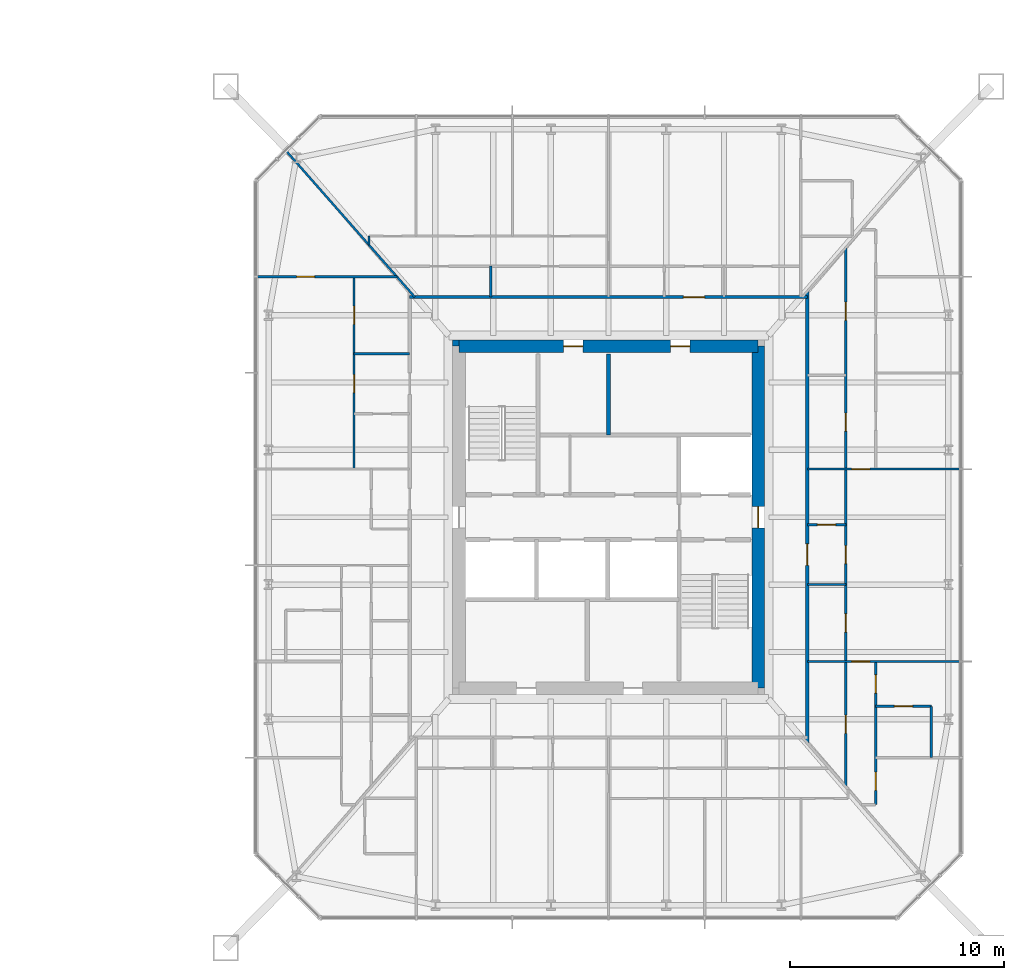
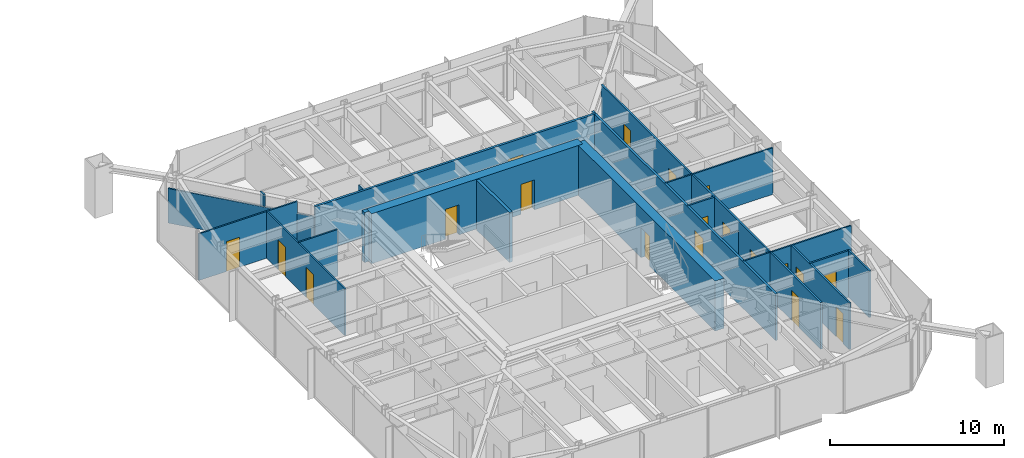
# One storey, part 20 of 26: 20 walls, 19 doors, 19 openings.
"""IFC4 building model written with IfcOpenShell, lengths in metres."""

from ifc_helpers import new_model, si_unit, direction, frame, frame_2d, origin, place, context, subcontext, project, spatial, rectangle, extrude, material, layer, layer_set, type_object, element, fill, save


model = new_model("IFC4")

# Units and contexts
model_context = context("Model", 3, precision=1e-05, world=origin(), true_north=direction((0.0, 1.0)))
body_context = subcontext(model_context, "Body", "Model", "MODEL_VIEW")
ifc_project = project(units=[si_unit("LENGTHUNIT", "METRE"), si_unit("AREAUNIT", "SQUARE_METRE"), si_unit("VOLUMEUNIT", "CUBIC_METRE"), si_unit("PLANEANGLEUNIT", "RADIAN"), si_unit("MASSUNIT", "GRAM", prefix="KILO")], contexts=[model_context])

# Site, building, storey
site_placement = place(None, origin())
site = spatial("IfcSite", under=ifc_project, at=site_placement, CompositionType="ELEMENT")
building_placement = place(site_placement, origin())
building = spatial("IfcBuilding", under=site, at=building_placement, Name="Iwan Alto Co-Living Towers", CompositionType="ELEMENT")
storey_placement = place(building_placement, frame((0.0, 0.0, 46.5)))
storey = spatial("IfcBuildingStorey", under=building, at=storey_placement, Name="L12", CompositionType="ELEMENT", Elevation=46.5)

# Wall, opening, door
ifc_material_1 = material(Name="Gypsum board")
ifc_layer_1 = layer(ifc_material_1, 0.02490234375, Name="Board", Category="Finish")
ifc_material_2 = material(Name="Steel ASTM A1003 ST33H cold-formed studs", Category="steel")
ifc_layer_2 = layer(ifc_material_2, 0.10009765625, Name="Studs", Category="Framing")
ifc_layer_3 = layer(ifc_material_1, 0.02490234375, Name="Board", Category="Finish")
ifc_layer_set_1 = layer_set([ifc_layer_1, ifc_layer_2, ifc_layer_3], Name="CORRIDOR WALL 150")
wall_type_1 = type_object("IfcWallType", Name="CORRIDOR WALL 150", PredefinedType="PARTITIONING", material=ifc_layer_set_1)
wall_1_placement = place(storey_placement, frame((53.699951171875, 10.300048828125, 0.0), z_axis=(0.0, 0.0, 1.0), x_axis=(1.0, 0.0, 0.0)))
wall_1 = element("IfcWall", 1, at=wall_1_placement, inside=storey, type_object=wall_type_1, Name="Partition L12", PredefinedType="PARTITIONING", context=body_context, shape_type="SweptSolid", body=[
    extrude(rectangle(XDim=18.60009765625, YDim=0.14990234375, at=frame_2d((9.300048828125, 0.0))), origin(), (0.0, 0.0, 1.0), 3.27001953125),
])
opening_1_placement = place(wall_1_placement, frame((12.800048828125, 0.0, 0.0)))
opening_1 = element("IfcOpeningElement", 2, at=opening_1_placement, cuts=wall_1, Name="Opening D3", PredefinedType="OPENING", context=body_context, shape_type="SweptSolid", body=[
    extrude(rectangle(XDim=1.0, YDim=2.10009765625, at=frame_2d((0.5, 1.050048828125))), frame((0.0, 0.0849609375, 0.0), z_axis=(0.0, -1.0, 0.0), x_axis=(1.0, 0.0, 0.0)), (0.0, 0.0, 1.0), 0.169921875),
])
ifc_material_3 = material(Name="Steel frame with timber leaf", Category="steel")
door_type_1 = type_object("IfcDoorType", Name="FLAT ENTRANCE DOOR FD30S 1000X2100", OperationType="SINGLE_SWING_LEFT", PredefinedType="DOOR", material=ifc_material_3)
door_1_placement = place(opening_1_placement, origin())
door_1 = element("IfcDoor", 3, at=door_1_placement, inside=storey, type_object=door_type_1, Name="Apartment foyer door L12", OperationType="SINGLE_SWING_LEFT", OverallHeight=2.10009765625, OverallWidth=1.0, PredefinedType="DOOR", context=body_context, shape_type="SweptSolid", body=[
    extrude(rectangle(XDim=1.0, YDim=2.10009765625, at=frame_2d((0.5, 1.050048828125))), frame((0.0, 0.02490234375, 0.0), z_axis=(0.0, -1.0, 0.0), x_axis=(1.0, 0.0, 0.0)), (0.0, 0.0, 1.0), 0.050048828125),
])
fill(opening_1, door_1)

wall_2_placement = place(storey_placement, frame((72.300048828125, -10.568115234375, 0.0), z_axis=(0.0, 0.0, 1.0), x_axis=(0.0, 1.0, 0.0)))
wall_2 = element("IfcWall", 4, at=wall_2_placement, inside=storey, type_object=wall_type_1, Name="Partition L12", PredefinedType="PARTITIONING", context=body_context, shape_type="SweptSolid", body=[
    extrude(rectangle(XDim=21.13623046875, YDim=0.14990234375, at=frame_2d((10.568115234375, 0.0))), origin(), (0.0, 0.0, 1.0), 3.27001953125),
])
opening_2_placement = place(wall_2_placement, frame((8.318115234375, 0.0, 0.0)))
opening_2 = element("IfcOpeningElement", 5, at=opening_2_placement, cuts=wall_2, Name="Opening D3", PredefinedType="OPENING", context=body_context, shape_type="SweptSolid", body=[
    extrude(rectangle(XDim=1.0, YDim=2.10009765625, at=frame_2d((0.5, 1.050048828125))), frame((0.0, 0.0849609375, 0.0), z_axis=(0.0, -1.0, 0.0), x_axis=(1.0, 0.0, 0.0)), (0.0, 0.0, 1.0), 0.169921875),
])
door_2_placement = place(opening_2_placement, frame((1.0, 0.0, 0.0), z_axis=(0.0, 0.0, 1.0), x_axis=(-1.0, 0.0, 0.0)))
door_2 = element("IfcDoor", 6, at=door_2_placement, inside=storey, type_object=door_type_1, Name="Apartment foyer door L12", OperationType="SINGLE_SWING_RIGHT", OverallHeight=2.10009765625, OverallWidth=1.0, PredefinedType="DOOR", context=body_context, shape_type="SweptSolid", body=[
    extrude(rectangle(XDim=1.0, YDim=2.10009765625, at=frame_2d((0.5, 1.050048828125))), frame((0.0, 0.02490234375, 0.0), z_axis=(0.0, -1.0, 0.0), x_axis=(1.0, 0.0, 0.0)), (0.0, 0.0, 1.0), 0.050048828125),
])
fill(opening_2, door_2)

ifc_layer_4 = layer(ifc_material_1, 0.012451171875, Name="Board", Category="Finish")
ifc_layer_5 = layer(ifc_material_2, 0.074951171875, Name="Studs", Category="Framing")
ifc_layer_6 = layer(ifc_material_1, 0.012451171875, Name="Board", Category="Finish")
ifc_layer_set_2 = layer_set([ifc_layer_4, ifc_layer_5, ifc_layer_6], Name="PARTITION 100")
wall_type_2 = type_object("IfcWallType", Name="PARTITION 100", PredefinedType="PARTITIONING", material=ifc_layer_set_2)
wall_3_placement = place(storey_placement, frame((72.300048828125, -6.75, 0.0), z_axis=(0.0, 0.0, 1.0), x_axis=(1.0, 0.0, 0.0)))
wall_3 = element("IfcWall", 7, at=wall_3_placement, inside=storey, type_object=wall_type_2, Name="Partition L12", PredefinedType="PARTITIONING", context=body_context, shape_type="SweptSolid", body=[
    extrude(rectangle(XDim=7.139892578125, YDim=0.10009765625, at=frame_2d((3.56982421875, 0.0))), origin(), (0.0, 0.0, 1.0), 3.27001953125),
])
opening_3_placement = place(wall_3_placement, frame((2.074951171875, 0.0, 0.0)))
opening_3 = element("IfcOpeningElement", 8, at=opening_3_placement, cuts=wall_3, Name="Opening D2", PredefinedType="OPENING", context=body_context, shape_type="SweptSolid", body=[
    extrude(rectangle(XDim=0.85009765625, YDim=2.10009765625, at=frame_2d((0.425048828125, 1.050048828125))), frame((0.0, 0.06005859375, 0.0), z_axis=(0.0, -1.0, 0.0), x_axis=(1.0, 0.0, 0.0)), (0.0, 0.0, 1.0), 0.1201171875),
])
ifc_material_4 = material(Name="Timber leaf in steel frame", Category="steel")
door_type_2 = type_object("IfcDoorType", Name="ROOM DOOR 850X2100", OperationType="SINGLE_SWING_LEFT", PredefinedType="DOOR", material=ifc_material_4)
door_3_placement = place(opening_3_placement, origin())
door_3 = element("IfcDoor", 9, at=door_3_placement, inside=storey, type_object=door_type_2, Name="Apartment hall door L12", OperationType="SINGLE_SWING_LEFT", OverallHeight=2.10009765625, OverallWidth=0.85009765625, PredefinedType="DOOR", context=body_context, shape_type="SweptSolid", body=[
    extrude(rectangle(XDim=0.85009765625, YDim=2.10009765625, at=frame_2d((0.425048828125, 1.050048828125))), frame((0.0, 0.02490234375, 0.0), z_axis=(0.0, -1.0, 0.0), x_axis=(1.0, 0.0, 0.0)), (0.0, 0.0, 1.0), 0.050048828125),
])
fill(opening_3, door_3)

# Wall
wall_4_placement = place(storey_placement, frame((72.300048828125, -3.14990234375, 0.0), z_axis=(0.0, 0.0, 1.0), x_axis=(1.0, 0.0, 0.0)))
element("IfcWall", 10, at=wall_4_placement, inside=storey, type_object=wall_type_2, Name="Partition L12", PredefinedType="PARTITIONING", context=body_context, shape_type="SweptSolid", body=[
    extrude(rectangle(XDim=1.800048828125, YDim=0.10009765625, at=frame_2d((0.89990234375, 0.0))), origin(), (0.0, 0.0, 1.0), 2.586669921875),
])

# Wall, opening, door
wall_5_placement = place(storey_placement, frame((72.300048828125, 2.25, 0.0), z_axis=(0.0, 0.0, 1.0), x_axis=(1.0, 0.0, 0.0)))
wall_5 = element("IfcWall", 11, at=wall_5_placement, inside=storey, type_object=wall_type_2, Name="Partition L12", PredefinedType="PARTITIONING", context=body_context, shape_type="SweptSolid", body=[
    extrude(rectangle(XDim=7.139892578125, YDim=0.10009765625, at=frame_2d((3.56982421875, 0.0))), origin(), (0.0, 0.0, 1.0), 3.27001953125),
])
opening_4_placement = place(wall_5_placement, frame((2.074951171875, 0.0, 0.0)))
opening_4 = element("IfcOpeningElement", 12, at=opening_4_placement, cuts=wall_5, Name="Opening D2", PredefinedType="OPENING", context=body_context, shape_type="SweptSolid", body=[
    extrude(rectangle(XDim=0.85009765625, YDim=2.10009765625, at=frame_2d((0.425048828125, 1.050048828125))), frame((0.0, 0.06005859375, 0.0), z_axis=(0.0, -1.0, 0.0), x_axis=(1.0, 0.0, 0.0)), (0.0, 0.0, 1.0), 0.1201171875),
])
door_4_placement = place(opening_4_placement, frame((0.85009765625, 0.0, 0.0), z_axis=(0.0, 0.0, 1.0), x_axis=(-1.0, 0.0, 0.0)))
door_4 = element("IfcDoor", 13, at=door_4_placement, inside=storey, type_object=door_type_2, Name="Apartment hall door L12", OperationType="SINGLE_SWING_RIGHT", OverallHeight=2.10009765625, OverallWidth=0.85009765625, PredefinedType="DOOR", context=body_context, shape_type="SweptSolid", body=[
    extrude(rectangle(XDim=0.85009765625, YDim=2.10009765625, at=frame_2d((0.425048828125, 1.050048828125))), frame((0.0, 0.02490234375, 0.0), z_axis=(0.0, -1.0, 0.0), x_axis=(1.0, 0.0, 0.0)), (0.0, 0.0, 1.0), 0.050048828125),
])
fill(opening_4, door_4)

# Wall
wall_6_placement = place(storey_placement, frame((51.10009765625, 7.64990234375, 0.0), z_axis=(0.0, 0.0, 1.0), x_axis=(1.0, 0.0, 0.0)))
element("IfcWall", 14, at=wall_6_placement, inside=storey, type_object=wall_type_2, Name="Partition L12", PredefinedType="PARTITIONING", context=body_context, shape_type="SweptSolid", body=[
    extrude(rectangle(XDim=2.599853515625, YDim=0.10009765625, at=frame_2d((1.2998046875, 0.0))), origin(), (0.0, 0.0, 1.0), 3.27001953125),
])

# Wall, opening, door
wall_7_placement = place(storey_placement, frame((46.56005859375, 11.25, 0.0), z_axis=(0.0, 0.0, 1.0), x_axis=(1.0, 0.0, 0.0)))
wall_7 = element("IfcWall", 15, at=wall_7_placement, inside=storey, type_object=wall_type_2, Name="Partition L12", PredefinedType="PARTITIONING", context=body_context, shape_type="SweptSolid", body=[
    extrude(rectangle(XDim=6.5400390625, YDim=0.10009765625, at=frame_2d((3.27001953125, 0.0))), origin(), (0.0, 0.0, 1.0), 3.27001953125),
])
opening_5_placement = place(wall_7_placement, frame((1.844970703125, 0.0, 0.0)))
opening_5 = element("IfcOpeningElement", 16, at=opening_5_placement, cuts=wall_7, Name="Opening D2", PredefinedType="OPENING", context=body_context, shape_type="SweptSolid", body=[
    extrude(rectangle(XDim=0.85009765625, YDim=2.10009765625, at=frame_2d((0.425048828125, 1.050048828125))), frame((0.0, 0.06005859375, 0.0), z_axis=(0.0, -1.0, 0.0), x_axis=(1.0, 0.0, 0.0)), (0.0, 0.0, 1.0), 0.1201171875),
])
door_5_placement = place(opening_5_placement, frame((0.85009765625, 0.0, 0.0), z_axis=(0.0, 0.0, 1.0), x_axis=(-1.0, 0.0, 0.0)))
door_5 = element("IfcDoor", 17, at=door_5_placement, inside=storey, type_object=door_type_2, Name="Bedroom door L12", OperationType="SINGLE_SWING_LEFT", OverallHeight=2.10009765625, OverallWidth=0.85009765625, PredefinedType="DOOR", context=body_context, shape_type="SweptSolid", body=[
    extrude(rectangle(XDim=0.85009765625, YDim=2.10009765625, at=frame_2d((0.425048828125, 1.050048828125))), frame((0.0, 0.02490234375, 0.0), z_axis=(0.0, -1.0, 0.0), x_axis=(1.0, 0.0, 0.0)), (0.0, 0.0, 1.0), 0.050048828125),
])
fill(opening_5, door_5)

# Wall
wall_8_placement = place(storey_placement, frame((51.800048828125, 12.72705078125, 0.0), z_axis=(0.0, 0.0, 1.0), x_axis=(0.0, 1.0, 0.0)))
element("IfcWall", 18, at=wall_8_placement, inside=storey, type_object=wall_type_2, Name="Partition L12", PredefinedType="PARTITIONING", context=body_context, shape_type="SweptSolid", body=[
    extrude(rectangle(XDim=0.4228515625, YDim=0.10009765625, at=frame_2d((0.21142578125, 0.0))), origin(), (0.0, 0.0, 1.0), 3.27001953125),
])

# Wall, openings, doors
wall_9_placement = place(storey_placement, frame((51.10009765625, 2.25, 0.0), z_axis=(0.0, 0.0, 1.0), x_axis=(0.0, 1.0, 0.0)))
wall_9 = element("IfcWall", 19, at=wall_9_placement, inside=storey, type_object=wall_type_2, Name="Partition L12", PredefinedType="PARTITIONING", context=body_context, shape_type="SweptSolid", body=[
    extrude(rectangle(XDim=9.0, YDim=0.10009765625, at=frame_2d((4.5, 0.0))), origin(), (0.0, 0.0, 1.0), 3.27001953125),
])
opening_6_placement = place(wall_9_placement, frame((6.77490234375, 0.0, 0.0)))
opening_6 = element("IfcOpeningElement", 20, at=opening_6_placement, cuts=wall_9, Name="Opening D2", PredefinedType="OPENING", context=body_context, shape_type="SweptSolid", body=[
    extrude(rectangle(XDim=0.85009765625, YDim=2.10009765625, at=frame_2d((0.425048828125, 1.050048828125))), frame((0.0, 0.06005859375, 0.0), z_axis=(0.0, -1.0, 0.0), x_axis=(1.0, 0.0, 0.0)), (0.0, 0.0, 1.0), 0.1201171875),
])
opening_7_placement = place(wall_9_placement, frame((3.574951171875, 0.0, 0.0)))
opening_7 = element("IfcOpeningElement", 21, at=opening_7_placement, cuts=wall_9, Name="Opening D2", PredefinedType="OPENING", context=body_context, shape_type="SweptSolid", body=[
    extrude(rectangle(XDim=0.85009765625, YDim=2.10009765625, at=frame_2d((0.425048828125, 1.050048828125))), frame((0.0, 0.06005859375, 0.0), z_axis=(0.0, -1.0, 0.0), x_axis=(1.0, 0.0, 0.0)), (0.0, 0.0, 1.0), 0.1201171875),
])
door_6_placement = place(opening_6_placement, origin())
door_6 = element("IfcDoor", 22, at=door_6_placement, inside=storey, type_object=door_type_2, Name="Kitchen door L12", OperationType="SINGLE_SWING_RIGHT", OverallHeight=2.10009765625, OverallWidth=0.85009765625, PredefinedType="DOOR", context=body_context, shape_type="SweptSolid", body=[
    extrude(rectangle(XDim=0.85009765625, YDim=2.10009765625, at=frame_2d((0.425048828125, 1.050048828125))), frame((0.0, 0.02490234375, 0.0), z_axis=(0.0, -1.0, 0.0), x_axis=(1.0, 0.0, 0.0)), (0.0, 0.0, 1.0), 0.050048828125),
])
fill(opening_6, door_6)
door_7_placement = place(opening_7_placement, origin())
door_7 = element("IfcDoor", 23, at=door_7_placement, inside=storey, type_object=door_type_2, Name="Apartment foyer door L12", OperationType="SINGLE_SWING_LEFT", OverallHeight=2.10009765625, OverallWidth=0.85009765625, PredefinedType="DOOR", context=body_context, shape_type="SweptSolid", body=[
    extrude(rectangle(XDim=0.85009765625, YDim=2.10009765625, at=frame_2d((0.425048828125, 1.050048828125))), frame((0.0, 0.02490234375, 0.0), z_axis=(0.0, -1.0, 0.0), x_axis=(1.0, 0.0, 0.0)), (0.0, 0.0, 1.0), 0.050048828125),
])
fill(opening_7, door_7)

# Walls
wall_10_placement = place(storey_placement, frame((53.93603515625, 10.300048828125, 0.0), z_axis=(0.0, 0.0, 1.0), x_axis=(-0.660638210404, 0.750704439146, 0.0)))
element("IfcWall", 24, at=wall_10_placement, inside=storey, type_object=wall_type_2, Name="Partition L12", PredefinedType="PARTITIONING", context=body_context, shape_type="SweptSolid", body=[
    extrude(rectangle(XDim=9.06982421875, YDim=0.10009765625, at=frame_2d((4.534912109375, 0.0))), origin(), (0.0, 0.0, 1.0), 2.42919921875),
])
ifc_material_5 = material(Name="Concrete f'c 70 MPa", Category="concrete")
ifc_layer_7 = layer(ifc_material_5, 0.199951171875)
ifc_layer_set_3 = layer_set([ifc_layer_7], Name="SHAFT WALL 200")
wall_type_3 = type_object("IfcWallType", Name="SHAFT WALL 200", PredefinedType="SOLIDWALL", material=ifc_layer_set_3)
wall_11_placement = place(storey_placement, frame((63.0, 3.85009765625, 0.0), z_axis=(0.0, 0.0, 1.0), x_axis=(0.0, 1.0, 0.0)))
element("IfcWall", 25, at=wall_11_placement, inside=storey, type_object=wall_type_3, Name="Shaft wall L12", PredefinedType="SOLIDWALL", context=body_context, shape_type="SweptSolid", body=[
    extrude(rectangle(XDim=3.789794921875, YDim=0.199951171875, at=frame_2d((1.89501953125, 0.0))), origin(), (0.0, 0.0, 1.0), 3.5),
])
ifc_material_6 = material(Name="Concrete f'c 70 MPa", Category="concrete")
ifc_layer_8 = layer(ifc_material_6, 0.300048828125)
ifc_layer_set_4 = layer_set([ifc_layer_8], Name="T2 CORE CORNER FILL 300")
wall_type_4 = type_object("IfcWallType", Name="T2 CORE CORNER FILL 300", PredefinedType="SOLIDWALL", material=ifc_layer_set_4)
wall_12_placement = place(storey_placement, frame((55.699951171875, 8.14990234375, 0.0), z_axis=(0.0, 0.0, 1.0), x_axis=(1.0, 0.0, 0.0)))
element("IfcWall", 26, at=wall_12_placement, inside=storey, type_object=wall_type_4, Name="T2 core corner NW L12", PredefinedType="SOLIDWALL", context=body_context, shape_type="SweptSolid", body=[
    extrude(rectangle(XDim=0.300048828125, YDim=0.300048828125, at=frame_2d((0.14990234375, 0.0))), origin(), (0.0, 0.0, 1.0), 3.5),
])

# Wall, openings, doors
ifc_material_7 = material(Name="Concrete f'c 70 MPa", Category="concrete")
ifc_layer_9 = layer(ifc_material_7, 0.60009765625)
ifc_layer_set_5 = layer_set([ifc_layer_9], Name="T2 CORE WALL 600")
wall_type_5 = type_object("IfcWallType", Name="T2 CORE WALL 600", PredefinedType="SHEAR", material=ifc_layer_set_5)
wall_13_placement = place(storey_placement, frame((70.0, 8.0, 0.0), z_axis=(0.0, 0.0, 1.0), x_axis=(-1.0, 0.0, 0.0)))
wall_13 = element("IfcWall", 27, at=wall_13_placement, inside=storey, type_object=wall_type_5, Name="T2 core wall N L12", PredefinedType="SHEAR", context=body_context, shape_type="SweptSolid", body=[
    extrude(rectangle(XDim=14.0, YDim=0.60009765625, at=frame_2d((7.0, 0.0))), origin(), (0.0, 0.0, 1.0), 3.5),
])
opening_8_placement = place(wall_13_placement, frame((8.199951171875, 0.0, 0.0)))
opening_8 = element("IfcOpeningElement", 28, at=opening_8_placement, cuts=wall_13, Name="Opening D8", PredefinedType="OPENING", context=body_context, shape_type="SweptSolid", body=[
    extrude(rectangle(XDim=0.89990234375, YDim=2.10009765625, at=frame_2d((0.449951171875, 1.050048828125))), frame((0.0, 0.31005859375, 0.0), z_axis=(0.0, -1.0, 0.0), x_axis=(1.0, 0.0, 0.0)), (0.0, 0.0, 1.0), 0.6201171875),
])
opening_9_placement = place(wall_13_placement, frame((3.199951171875, 0.0, 0.0)))
opening_9 = element("IfcOpeningElement", 29, at=opening_9_placement, cuts=wall_13, Name="Opening D8", PredefinedType="OPENING", context=body_context, shape_type="SweptSolid", body=[
    extrude(rectangle(XDim=0.89990234375, YDim=2.10009765625, at=frame_2d((0.449951171875, 1.050048828125))), frame((0.0, 0.31005859375, 0.0), z_axis=(0.0, -1.0, 0.0), x_axis=(1.0, 0.0, 0.0)), (0.0, 0.0, 1.0), 0.6201171875),
])
ifc_material_8 = material(Name="Steel frame with timber leaf", Category="steel")
door_type_3 = type_object("IfcDoorType", Name="RISER DOOR FD120 900X2100", OperationType="SINGLE_SWING_LEFT", PredefinedType="DOOR", material=ifc_material_8)
door_8_placement = place(opening_8_placement, origin())
door_8 = element("IfcDoor", 30, at=door_8_placement, inside=storey, type_object=door_type_3, Name="Electrical riser core door L12", OperationType="SINGLE_SWING_RIGHT", OverallHeight=2.10009765625, OverallWidth=0.89990234375, PredefinedType="DOOR", context=body_context, shape_type="SweptSolid", body=[
    extrude(rectangle(XDim=0.89990234375, YDim=2.10009765625, at=frame_2d((0.449951171875, 1.050048828125))), frame((0.0, 0.02490234375, 0.0), z_axis=(0.0, -1.0, 0.0), x_axis=(1.0, 0.0, 0.0)), (0.0, 0.0, 1.0), 0.050048828125),
])
fill(opening_8, door_8)
door_9_placement = place(opening_9_placement, origin())
door_9 = element("IfcDoor", 31, at=door_9_placement, inside=storey, type_object=door_type_3, Name="Water and drainage riser core door L12", OperationType="SINGLE_SWING_RIGHT", OverallHeight=2.10009765625, OverallWidth=0.89990234375, PredefinedType="DOOR", context=body_context, shape_type="SweptSolid", body=[
    extrude(rectangle(XDim=0.89990234375, YDim=2.10009765625, at=frame_2d((0.449951171875, 1.050048828125))), frame((0.0, 0.02490234375, 0.0), z_axis=(0.0, -1.0, 0.0), x_axis=(1.0, 0.0, 0.0)), (0.0, 0.0, 1.0), 0.050048828125),
])
fill(opening_9, door_9)

# Wall, opening, door
wall_14_placement = place(storey_placement, frame((70.0, -8.0, 0.0), z_axis=(0.0, 0.0, 1.0), x_axis=(0.0, 1.0, 0.0)))
wall_14 = element("IfcWall", 32, at=wall_14_placement, inside=storey, type_object=wall_type_5, Name="T2 core wall E L12", PredefinedType="SHEAR", context=body_context, shape_type="SweptSolid", body=[
    extrude(rectangle(XDim=16.0, YDim=0.60009765625, at=frame_2d((8.0, 0.0))), origin(), (0.0, 0.0, 1.0), 3.5),
])
opening_10_placement = place(wall_14_placement, frame((7.5, 0.0, 0.0)))
opening_10 = element("IfcOpeningElement", 33, at=opening_10_placement, cuts=wall_14, Name="Opening D7", PredefinedType="OPENING", context=body_context, shape_type="SweptSolid", body=[
    extrude(rectangle(XDim=1.0, YDim=2.10009765625, at=frame_2d((0.5, 1.050048828125))), frame((0.0, 0.31005859375, 0.0), z_axis=(0.0, -1.0, 0.0), x_axis=(1.0, 0.0, 0.0)), (0.0, 0.0, 1.0), 0.6201171875),
])
ifc_material_9 = material(Name="Steel frame with timber leaf", Category="steel")
door_type_4 = type_object("IfcDoorType", Name="CORE DOOR FD120S 1000X2100", OperationType="SINGLE_SWING_LEFT", PredefinedType="DOOR", material=ifc_material_9)
door_10_placement = place(opening_10_placement, origin())
door_10 = element("IfcDoor", 34, at=door_10_placement, inside=storey, type_object=door_type_4, Name="Firefighting lobby core door L12", OperationType="SINGLE_SWING_LEFT", OverallHeight=2.10009765625, OverallWidth=1.0, PredefinedType="DOOR", context=body_context, shape_type="SweptSolid", body=[
    extrude(rectangle(XDim=1.0, YDim=2.10009765625, at=frame_2d((0.5, 1.050048828125))), frame((0.0, 0.02490234375, 0.0), z_axis=(0.0, -1.0, 0.0), x_axis=(1.0, 0.0, 0.0)), (0.0, 0.0, 1.0), 0.050048828125),
])
fill(opening_10, door_10)

ifc_material_10 = material(Name="Cement board")
ifc_layer_10 = layer(ifc_material_10, 0.012451171875, Name="Board", Category="Finish")
ifc_layer_11 = layer(ifc_material_2, 0.094970703125, Name="Studs", Category="Framing")
ifc_layer_12 = layer(ifc_material_10, 0.012451171875, Name="Board", Category="Finish")
ifc_layer_set_6 = layer_set([ifc_layer_10, ifc_layer_11, ifc_layer_12], Name="WET AREA PARTITION 120")
wall_type_6 = type_object("IfcWallType", Name="WET AREA PARTITION 120", PredefinedType="PARTITIONING", material=ifc_layer_set_6)
wall_15_placement = place(storey_placement, frame((75.5, -8.85009765625, 0.0), z_axis=(0.0, 0.0, 1.0), x_axis=(1.0, 0.0, 0.0)))
wall_15 = element("IfcWall", 35, at=wall_15_placement, inside=storey, type_object=wall_type_6, Name="Partition L12", PredefinedType="PARTITIONING", context=body_context, shape_type="SweptSolid", body=[
    extrude(rectangle(XDim=2.60009765625, YDim=0.1201171875, at=frame_2d((1.300048828125, 0.0))), origin(), (0.0, 0.0, 1.0), 3.27001953125),
])
opening_11_placement = place(wall_15_placement, frame((0.875, 0.0, 0.0)))
opening_11 = element("IfcOpeningElement", 36, at=opening_11_placement, cuts=wall_15, Name="Opening D2", PredefinedType="OPENING", context=body_context, shape_type="SweptSolid", body=[
    extrude(rectangle(XDim=0.85009765625, YDim=2.10009765625, at=frame_2d((0.425048828125, 1.050048828125))), frame((0.0, 0.070068359375, 0.0), z_axis=(0.0, -1.0, 0.0), x_axis=(1.0, 0.0, 0.0)), (0.0, 0.0, 1.0), 0.14013671875),
])
door_11_placement = place(opening_11_placement, origin())
door_11 = element("IfcDoor", 37, at=door_11_placement, inside=storey, type_object=door_type_2, Name="En-suite shower room door L12", OperationType="SINGLE_SWING_LEFT", OverallHeight=2.10009765625, OverallWidth=0.85009765625, PredefinedType="DOOR", context=body_context, shape_type="SweptSolid", body=[
    extrude(rectangle(XDim=0.85009765625, YDim=2.10009765625, at=frame_2d((0.425048828125, 1.050048828125))), frame((0.0, 0.02490234375, 0.0), z_axis=(0.0, -1.0, 0.0), x_axis=(1.0, 0.0, 0.0)), (0.0, 0.0, 1.0), 0.050048828125),
])
fill(opening_11, door_11)

wall_16_placement = place(storey_placement, frame((72.300048828125, -0.35009765625, 0.0), z_axis=(0.0, 0.0, 1.0), x_axis=(1.0, 0.0, 0.0)))
wall_16 = element("IfcWall", 38, at=wall_16_placement, inside=storey, type_object=wall_type_6, Name="Partition L12", PredefinedType="PARTITIONING", context=body_context, shape_type="SweptSolid", body=[
    extrude(rectangle(XDim=1.800048828125, YDim=0.1201171875, at=frame_2d((0.89990234375, 0.0))), origin(), (0.0, 0.0, 1.0), 3.27001953125),
])
opening_12_placement = place(wall_16_placement, frame((0.47509765625, 0.0, 0.0)))
opening_12 = element("IfcOpeningElement", 39, at=opening_12_placement, cuts=wall_16, Name="Opening D2", PredefinedType="OPENING", context=body_context, shape_type="SweptSolid", body=[
    extrude(rectangle(XDim=0.85009765625, YDim=2.10009765625, at=frame_2d((0.425048828125, 1.050048828125))), frame((0.0, 0.070068359375, 0.0), z_axis=(0.0, -1.0, 0.0), x_axis=(1.0, 0.0, 0.0)), (0.0, 0.0, 1.0), 0.14013671875),
])
door_12_placement = place(opening_12_placement, origin())
door_12 = element("IfcDoor", 40, at=door_12_placement, inside=storey, type_object=door_type_2, Name="Bathroom door L12", OperationType="SINGLE_SWING_LEFT", OverallHeight=2.10009765625, OverallWidth=0.85009765625, PredefinedType="DOOR", context=body_context, shape_type="SweptSolid", body=[
    extrude(rectangle(XDim=0.85009765625, YDim=2.10009765625, at=frame_2d((0.425048828125, 1.050048828125))), frame((0.0, 0.02490234375, 0.0), z_axis=(0.0, -1.0, 0.0), x_axis=(1.0, 0.0, 0.0)), (0.0, 0.0, 1.0), 0.050048828125),
])
fill(opening_12, door_12)

# Wall
wall_17_placement = place(storey_placement, frame((78.10009765625, -11.25, 0.0), z_axis=(0.0, 0.0, 1.0), x_axis=(0.0, 1.0, 0.0)))
element("IfcWall", 41, at=wall_17_placement, inside=storey, type_object=wall_type_6, Name="Partition L12", PredefinedType="PARTITIONING", context=body_context, shape_type="SweptSolid", body=[
    extrude(rectangle(XDim=2.39990234375, YDim=0.1201171875, at=frame_2d((1.199951171875, 0.0))), origin(), (0.0, 0.0, 1.0), 3.27001953125),
])

# Wall, openings, doors
wall_18_placement = place(storey_placement, frame((75.5, -13.449951171875, 0.0), z_axis=(0.0, 0.0, 1.0), x_axis=(0.0, 1.0, 0.0)))
wall_18 = element("IfcWall", 42, at=wall_18_placement, inside=storey, type_object=wall_type_6, Name="Partition L12", PredefinedType="PARTITIONING", context=body_context, shape_type="SweptSolid", body=[
    extrude(rectangle(XDim=6.699951171875, YDim=0.1201171875, at=frame_2d((3.35009765625, 0.0))), origin(), (0.0, 0.0, 1.0), 3.27001953125),
])
opening_13_placement = place(wall_18_placement, frame((5.22509765625, 0.0, 0.0)))
opening_13 = element("IfcOpeningElement", 43, at=opening_13_placement, cuts=wall_18, Name="Opening D2", PredefinedType="OPENING", context=body_context, shape_type="SweptSolid", body=[
    extrude(rectangle(XDim=0.85009765625, YDim=2.10009765625, at=frame_2d((0.425048828125, 1.050048828125))), frame((0.0, 0.070068359375, 0.0), z_axis=(0.0, -1.0, 0.0), x_axis=(1.0, 0.0, 0.0)), (0.0, 0.0, 1.0), 0.14013671875),
])
opening_14_placement = place(wall_18_placement, frame((0.675048828125, 0.0, 0.0)))
opening_14 = element("IfcOpeningElement", 44, at=opening_14_placement, cuts=wall_18, Name="Opening D2", PredefinedType="OPENING", context=body_context, shape_type="SweptSolid", body=[
    extrude(rectangle(XDim=0.85009765625, YDim=2.10009765625, at=frame_2d((0.425048828125, 1.050048828125))), frame((0.0, 0.070068359375, 0.0), z_axis=(0.0, -1.0, 0.0), x_axis=(1.0, 0.0, 0.0)), (0.0, 0.0, 1.0), 0.14013671875),
])
door_13_placement = place(opening_13_placement, frame((0.85009765625, 0.0, 0.0), z_axis=(0.0, 0.0, 1.0), x_axis=(-1.0, 0.0, 0.0)))
door_13 = element("IfcDoor", 45, at=door_13_placement, inside=storey, type_object=door_type_2, Name="Bedroom door L12", OperationType="SINGLE_SWING_RIGHT", OverallHeight=2.10009765625, OverallWidth=0.85009765625, PredefinedType="DOOR", context=body_context, shape_type="SweptSolid", body=[
    extrude(rectangle(XDim=0.85009765625, YDim=2.10009765625, at=frame_2d((0.425048828125, 1.050048828125))), frame((0.0, 0.02490234375, 0.0), z_axis=(0.0, -1.0, 0.0), x_axis=(1.0, 0.0, 0.0)), (0.0, 0.0, 1.0), 0.050048828125),
])
fill(opening_13, door_13)
door_14_placement = place(opening_14_placement, frame((0.85009765625, 0.0, 0.0), z_axis=(0.0, 0.0, 1.0), x_axis=(-1.0, 0.0, 0.0)))
door_14 = element("IfcDoor", 46, at=door_14_placement, inside=storey, type_object=door_type_2, Name="Bedroom door L12", OperationType="SINGLE_SWING_LEFT", OverallHeight=2.10009765625, OverallWidth=0.85009765625, PredefinedType="DOOR", context=body_context, shape_type="SweptSolid", body=[
    extrude(rectangle(XDim=0.85009765625, YDim=2.10009765625, at=frame_2d((0.425048828125, 1.050048828125))), frame((0.0, 0.02490234375, 0.0), z_axis=(0.0, -1.0, 0.0), x_axis=(1.0, 0.0, 0.0)), (0.0, 0.0, 1.0), 0.050048828125),
])
fill(opening_14, door_14)

wall_19_placement = place(storey_placement, frame((74.10009765625, -12.614013671875, 0.0), z_axis=(0.0, 0.0, 1.0), x_axis=(0.0, 1.0, 0.0)))
wall_19 = element("IfcWall", 47, at=wall_19_placement, inside=storey, type_object=wall_type_6, Name="Partition L12", PredefinedType="PARTITIONING", context=body_context, shape_type="SweptSolid", body=[
    extrude(rectangle(XDim=25.22802734375, YDim=0.1201171875, at=frame_2d((12.614013671875, 0.0))), origin(), (0.0, 0.0, 1.0), 3.27001953125),
])
opening_15_placement = place(wall_19_placement, frame((7.239013671875, 0.0, 0.0)))
opening_15 = element("IfcOpeningElement", 48, at=opening_15_placement, cuts=wall_19, Name="Opening D2", PredefinedType="OPENING", context=body_context, shape_type="SweptSolid", body=[
    extrude(rectangle(XDim=0.85009765625, YDim=2.10009765625, at=frame_2d((0.425048828125, 1.050048828125))), frame((0.0, 0.070068359375, 0.0), z_axis=(0.0, -1.0, 0.0), x_axis=(1.0, 0.0, 0.0)), (0.0, 0.0, 1.0), 0.14013671875),
])
opening_16_placement = place(wall_19_placement, frame((10.43896484375, 0.0, 0.0)))
opening_16 = element("IfcOpeningElement", 49, at=opening_16_placement, cuts=wall_19, Name="Opening D2", PredefinedType="OPENING", context=body_context, shape_type="SweptSolid", body=[
    extrude(rectangle(XDim=0.85009765625, YDim=2.10009765625, at=frame_2d((0.425048828125, 1.050048828125))), frame((0.0, 0.070068359375, 0.0), z_axis=(0.0, -1.0, 0.0), x_axis=(1.0, 0.0, 0.0)), (0.0, 0.0, 1.0), 0.14013671875),
])
opening_17_placement = place(wall_19_placement, frame((2.507080078125, 0.0, 0.0)))
opening_17 = element("IfcOpeningElement", 50, at=opening_17_placement, cuts=wall_19, Name="Opening D2", PredefinedType="OPENING", context=body_context, shape_type="SweptSolid", body=[
    extrude(rectangle(XDim=0.85009765625, YDim=2.10009765625, at=frame_2d((0.425048828125, 1.050048828125))), frame((0.0, 0.070068359375, 0.0), z_axis=(0.0, -1.0, 0.0), x_axis=(1.0, 0.0, 0.0)), (0.0, 0.0, 1.0), 0.14013671875),
])
opening_18_placement = place(wall_19_placement, frame((16.638916015625, 0.0, 0.0)))
opening_18 = element("IfcOpeningElement", 51, at=opening_18_placement, cuts=wall_19, Name="Opening D2", PredefinedType="OPENING", context=body_context, shape_type="SweptSolid", body=[
    extrude(rectangle(XDim=0.85009765625, YDim=2.10009765625, at=frame_2d((0.425048828125, 1.050048828125))), frame((0.0, 0.070068359375, 0.0), z_axis=(0.0, -1.0, 0.0), x_axis=(1.0, 0.0, 0.0)), (0.0, 0.0, 1.0), 0.14013671875),
])
opening_19_placement = place(wall_19_placement, frame((21.821044921875, 0.0, 0.0)))
opening_19 = element("IfcOpeningElement", 52, at=opening_19_placement, cuts=wall_19, Name="Opening D2", PredefinedType="OPENING", context=body_context, shape_type="SweptSolid", body=[
    extrude(rectangle(XDim=0.85009765625, YDim=2.10009765625, at=frame_2d((0.425048828125, 1.050048828125))), frame((0.0, 0.070068359375, 0.0), z_axis=(0.0, -1.0, 0.0), x_axis=(1.0, 0.0, 0.0)), (0.0, 0.0, 1.0), 0.14013671875),
])
door_15_placement = place(opening_15_placement, frame((0.85009765625, 0.0, 0.0), z_axis=(0.0, 0.0, 1.0), x_axis=(-1.0, 0.0, 0.0)))
door_15 = element("IfcDoor", 53, at=door_15_placement, inside=storey, type_object=door_type_2, Name="Kitchen door L12", OperationType="SINGLE_SWING_RIGHT", OverallHeight=2.10009765625, OverallWidth=0.85009765625, PredefinedType="DOOR", context=body_context, shape_type="SweptSolid", body=[
    extrude(rectangle(XDim=0.85009765625, YDim=2.10009765625, at=frame_2d((0.425048828125, 1.050048828125))), frame((0.0, 0.02490234375, 0.0), z_axis=(0.0, -1.0, 0.0), x_axis=(1.0, 0.0, 0.0)), (0.0, 0.0, 1.0), 0.050048828125),
])
fill(opening_15, door_15)
door_16_placement = place(opening_16_placement, frame((0.85009765625, 0.0, 0.0), z_axis=(0.0, 0.0, 1.0), x_axis=(-1.0, 0.0, 0.0)))
door_16 = element("IfcDoor", 54, at=door_16_placement, inside=storey, type_object=door_type_2, Name="Apartment foyer door L12", OperationType="SINGLE_SWING_LEFT", OverallHeight=2.10009765625, OverallWidth=0.85009765625, PredefinedType="DOOR", context=body_context, shape_type="SweptSolid", body=[
    extrude(rectangle(XDim=0.85009765625, YDim=2.10009765625, at=frame_2d((0.425048828125, 1.050048828125))), frame((0.0, 0.02490234375, 0.0), z_axis=(0.0, -1.0, 0.0), x_axis=(1.0, 0.0, 0.0)), (0.0, 0.0, 1.0), 0.050048828125),
])
fill(opening_16, door_16)
door_17_placement = place(opening_17_placement, origin())
door_17 = element("IfcDoor", 55, at=door_17_placement, inside=storey, type_object=door_type_2, Name="Utility room door L12", OperationType="SINGLE_SWING_LEFT", OverallHeight=2.10009765625, OverallWidth=0.85009765625, PredefinedType="DOOR", context=body_context, shape_type="SweptSolid", body=[
    extrude(rectangle(XDim=0.85009765625, YDim=2.10009765625, at=frame_2d((0.425048828125, 1.050048828125))), frame((0.0, 0.02490234375, 0.0), z_axis=(0.0, -1.0, 0.0), x_axis=(1.0, 0.0, 0.0)), (0.0, 0.0, 1.0), 0.050048828125),
])
fill(opening_17, door_17)
door_18_placement = place(opening_18_placement, origin())
door_18 = element("IfcDoor", 56, at=door_18_placement, inside=storey, type_object=door_type_2, Name="Utility room door L12", OperationType="SINGLE_SWING_LEFT", OverallHeight=2.10009765625, OverallWidth=0.85009765625, PredefinedType="DOOR", context=body_context, shape_type="SweptSolid", body=[
    extrude(rectangle(XDim=0.85009765625, YDim=2.10009765625, at=frame_2d((0.425048828125, 1.050048828125))), frame((0.0, 0.02490234375, 0.0), z_axis=(0.0, -1.0, 0.0), x_axis=(1.0, 0.0, 0.0)), (0.0, 0.0, 1.0), 0.050048828125),
])
fill(opening_18, door_18)
door_19_placement = place(opening_19_placement, origin())
door_19 = element("IfcDoor", 57, at=door_19_placement, inside=storey, type_object=door_type_2, Name="Store room door L12", OperationType="SINGLE_SWING_RIGHT", OverallHeight=2.10009765625, OverallWidth=0.85009765625, PredefinedType="DOOR", context=body_context, shape_type="SweptSolid", body=[
    extrude(rectangle(XDim=0.85009765625, YDim=2.10009765625, at=frame_2d((0.425048828125, 1.050048828125))), frame((0.0, 0.02490234375, 0.0), z_axis=(0.0, -1.0, 0.0), x_axis=(1.0, 0.0, 0.0)), (0.0, 0.0, 1.0), 0.050048828125),
])
fill(opening_19, door_19)

# Wall
wall_20_placement = place(storey_placement, frame((57.5, 10.300048828125, 0.0), z_axis=(0.0, 0.0, 1.0), x_axis=(0.0, 1.0, 0.0)))
element("IfcWall", 58, at=wall_20_placement, inside=storey, type_object=wall_type_6, Name="Partition L12", PredefinedType="PARTITIONING", context=body_context, shape_type="SweptSolid", body=[
    extrude(rectangle(XDim=1.449951171875, YDim=0.1201171875, at=frame_2d((0.72509765625, 0.0))), origin(), (0.0, 0.0, 1.0), 2.586669921875),
])

save(model, "model.ifc")
